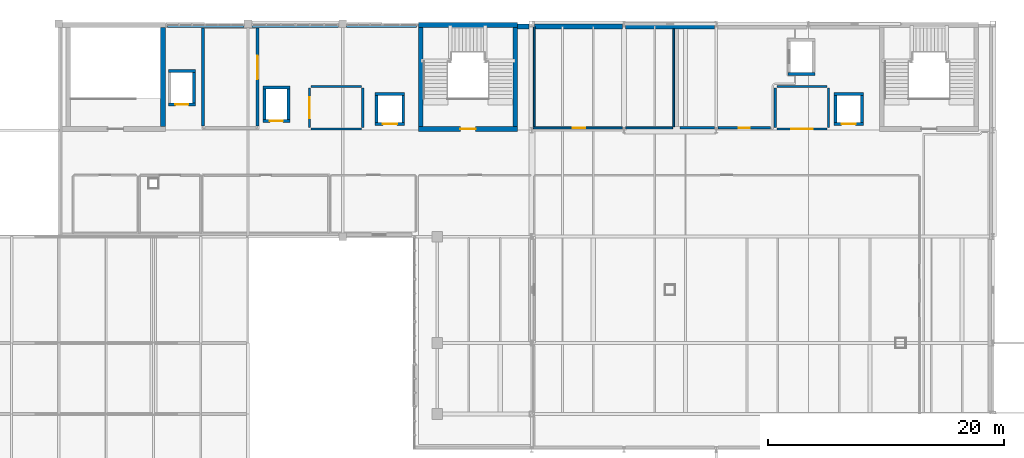
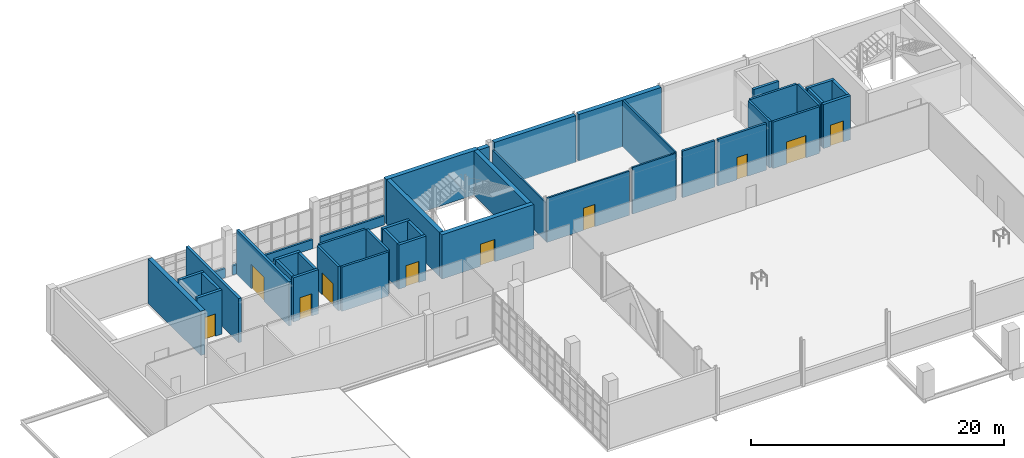
# One storey, part 34 of 38: 43 walls, 10 doors, 10 openings.
"""IFC4 building model written with IfcOpenShell, lengths in metres."""

from ifc_helpers import new_model, si_unit, derived_unit, direction, frame, frame_2d, origin, place, context, subcontext, project, spatial, rectangle, extrude, material, layer, layer_set, type_object, element, fill, save


model = new_model("IFC4")

# Units and contexts
model_context = context("Model", 3, precision=1e-05, world=origin(), true_north=direction((0.0, 1.0)))
body_context = subcontext(model_context, "Body", "Model", "MODEL_VIEW")
ifc_project = project(units=[si_unit("LENGTHUNIT", "METRE"), si_unit("AREAUNIT", "SQUARE_METRE"), si_unit("VOLUMEUNIT", "CUBIC_METRE"), si_unit("PLANEANGLEUNIT", "RADIAN"), si_unit("MASSUNIT", "GRAM", prefix="KILO"), derived_unit("THERMALTRANSMITTANCEUNIT", [(si_unit("POWERUNIT", "WATT"), 1), (si_unit("LENGTHUNIT", "METRE"), -2), (si_unit("THERMODYNAMICTEMPERATUREUNIT", "KELVIN"), -1)])], contexts=[model_context])

# Site, building, storey
site_placement = place(None, origin())
site = spatial("IfcSite", under=ifc_project, at=site_placement, CompositionType="ELEMENT")
building_placement = place(site_placement, origin())
building = spatial("IfcBuilding", under=site, at=building_placement, Name="Nallur Shell Playhouse", CompositionType="ELEMENT")
storey_placement = place(building_placement, frame((0.0, 0.0, 24.300048828125)))
storey = spatial("IfcBuildingStorey", under=building, at=storey_placement, Name="L06", CompositionType="ELEMENT", Elevation=24.300048828125)

# Wall, opening, door
ifc_material_1 = material(Name="Concrete M45", Category="concrete")
ifc_layer_1 = layer(ifc_material_1, 0.39990234375)
ifc_layer_set_1 = layer_set([ifc_layer_1], Name="Concrete M45")
wall_type_1 = type_object("IfcWallType", Name="WL-CORE-400", PredefinedType="SHEAR", material=ifc_layer_set_1)
wall_1_placement = place(storey_placement, frame((54.39990234375, 74.10009765625, 0.0), z_axis=(0.0, 0.0, 1.0), x_axis=(1.0, 0.0, 0.0)))
wall_1 = element("IfcWall", 1, at=wall_1_placement, inside=storey, type_object=wall_type_1, Name="Joint Core JC-3 shear wall S (L06)", PredefinedType="SHEAR", context=body_context, shape_type="SweptSolid", body=[
    extrude(rectangle(XDim=8.400146484375, YDim=0.39990234375, at=frame_2d((4.2001953125, 0.0))), origin(), (0.0, 0.0, 1.0), 4.280029296875),
])
opening_1_placement = place(wall_1_placement, frame((3.550048828125, 0.0, 0.0)))
opening_1 = element("IfcOpeningElement", 2, at=opening_1_placement, cuts=wall_1, Name="Opening FD-ST1", PredefinedType="OPENING", context=body_context, shape_type="SweptSolid", body=[
    extrude(rectangle(XDim=1.300048828125, YDim=2.14990234375, at=frame_2d((0.64990234375, 1.074951171875))), frame((0.0, 0.2099609375, 0.0), z_axis=(0.0, -1.0, 0.0), x_axis=(1.0, 0.0, 0.0)), (0.0, 0.0, 1.0), 0.419921875),
])
ifc_material_2 = material(Name="Galvanised Steel Fire-Rated Stair Door", Category="steel")
door_type_1 = type_object("IfcDoorType", Name="DR-INT-STAIR-L", OperationType="SINGLE_SWING_LEFT", PredefinedType="DOOR", material=ifc_material_2)
door_1_placement = place(opening_1_placement, origin())
door_1 = element("IfcDoor", 3, at=door_1_placement, inside=storey, type_object=door_type_1, Name="Exit stair ST-03 fire door (L06)", OperationType="SINGLE_SWING_LEFT", OverallHeight=2.14990234375, OverallWidth=1.300048828125, PredefinedType="DOOR", context=body_context, shape_type="SweptSolid", body=[
    extrude(rectangle(XDim=1.300048828125, YDim=2.14990234375, at=frame_2d((0.64990234375, 1.074951171875))), frame((0.0, 0.02490234375, 0.0), z_axis=(0.0, -1.0, 0.0), x_axis=(1.0, 0.0, 0.0)), (0.0, 0.0, 1.0), 0.050048828125),
])
fill(opening_1, door_1)

# Walls
wall_2_placement = place(storey_placement, frame((62.800048828125, 82.89990234375, 0.0), z_axis=(0.0, 0.0, 1.0), x_axis=(-1.0, 0.0, 0.0)))
element("IfcWall", 4, at=wall_2_placement, inside=storey, type_object=wall_type_1, Name="Joint Core JC-3 shear wall N (L06)", PredefinedType="SHEAR", context=body_context, shape_type="SweptSolid", body=[
    extrude(rectangle(XDim=8.400146484375, YDim=0.39990234375, at=frame_2d((4.2001953125, 0.0))), origin(), (0.0, 0.0, 1.0), 4.280029296875),
])
for number, where, z_axis, x_axis, name in (
    (5, (62.60009765625, 74.31005859375, 0.0), (0.0, 0.0, 1.0), (0.0, 1.0, 0.0), "Joint Core JC-3 shear wall E (L06)"),
    (6, (54.60009765625, 82.68994140625, 0.0), (0.0, 0.0, 1.0), (0.0, -1.0, 0.0), "Joint Core JC-3 shear wall W (L06)"),
    (7, (32.800048828125, 74.31005859375, 0.0), (0.0, 0.0, 1.0), (0.0, 1.0, 0.0), "Joint Core JC-6 shear wall E (L06)"),
):
    element("IfcWall", number, at=place(storey_placement, frame(where, z_axis=z_axis, x_axis=x_axis)), inside=storey, type_object=wall_type_1, Name=name, PredefinedType="SHEAR", context=body_context, shape_type="SweptSolid", body=[
        extrude(rectangle(XDim=8.3798828125, YDim=0.39990234375, at=frame_2d((4.18994140625, 0.0))), origin(), (0.0, 0.0, 1.0), 4.280029296875),
    ])
ifc_material_3 = material(Name="Concrete M40", Category="concrete")
ifc_layer_2 = layer(ifc_material_3, 0.39990234375)
ifc_layer_set_2 = layer_set([ifc_layer_2], Name="Concrete M40")
wall_type_2 = type_object("IfcWallType", Name="WL-EXT-RC400", PredefinedType="STANDARD", material=ifc_layer_set_2)
wall_3_placement = place(storey_placement, frame((62.803955078125, 82.780029296875, 0.0), z_axis=(0.0, 0.0, 1.0), x_axis=(1.0, 0.0, 0.0)))
element("IfcWall", 8, at=wall_3_placement, inside=storey, type_object=wall_type_2, Name="L06 exterior wall EW-L06-253", PredefinedType="STANDARD", context=body_context, shape_type="SweptSolid", body=[
    extrude(rectangle(XDim=0.963134765625, YDim=0.39990234375, at=frame_2d((0.4814453125, 0.0))), origin(), (0.0, 0.0, 1.0), 4.280029296875),
])
wall_4_placement = place(storey_placement, frame((64.23291015625, 82.780029296875, 0.0), z_axis=(0.0, 0.0, 1.0), x_axis=(1.0, 0.0, 0.0)))
element("IfcWall", 9, at=wall_4_placement, inside=storey, type_object=wall_type_2, Name="L06 exterior wall EW-L06-254", PredefinedType="STANDARD", context=body_context, shape_type="SweptSolid", body=[
    extrude(rectangle(XDim=7.43408203125, YDim=0.39990234375, at=frame_2d((3.717041015625, 0.0))), origin(), (0.0, 0.0, 1.0), 4.5),
])
wall_5_placement = place(storey_placement, frame((71.93310546875, 82.780029296875, 0.0), z_axis=(0.0, 0.0, 1.0), x_axis=(1.0, 0.0, 0.0)))
element("IfcWall", 10, at=wall_5_placement, inside=storey, type_object=wall_type_2, Name="L06 exterior wall EW-L06-255", PredefinedType="STANDARD", context=body_context, shape_type="SweptSolid", body=[
    extrude(rectangle(XDim=7.533935546875, YDim=0.39990234375, at=frame_2d((3.76708984375, 0.0))), origin(), (0.0, 0.0, 1.0), 4.5),
])
ifc_material_4 = material(Name="Concrete M35", Category="concrete")
ifc_layer_3 = layer(ifc_material_4, 0.179931640625)
ifc_layer_set_3 = layer_set([ifc_layer_3], Name="Concrete M35")
wall_type_3 = type_object("IfcWallType", Name="WL-PARAPET-180", PredefinedType="PARAPET", material=ifc_layer_set_3)
wall_6_placement = place(storey_placement, frame((33.169921875, 82.760009765625, 0.0), z_axis=(0.0, 0.0, 1.0), x_axis=(1.0, 0.0, 0.0)))
element("IfcWall", 11, at=wall_6_placement, inside=storey, type_object=wall_type_3, Name="L06 curtain-wall internal spandrel upstand 075", PredefinedType="PARAPET", context=body_context, shape_type="SweptSolid", body=[
    extrude(rectangle(XDim=6.4951171875, YDim=0.179931640625, at=frame_2d((3.24755859375, 0.0))), origin(), (0.0, 0.0, 1.0), 0.8798828125),
])
wall_7_placement = place(storey_placement, frame((40.3349609375, 82.760009765625, 0.0), z_axis=(0.0, 0.0, 1.0), x_axis=(1.0, 0.0, 0.0)))
element("IfcWall", 12, at=wall_7_placement, inside=storey, type_object=wall_type_3, Name="L06 curtain-wall internal spandrel upstand 076", PredefinedType="PARAPET", context=body_context, shape_type="SweptSolid", body=[
    extrude(rectangle(XDim=7.330078125, YDim=0.179931640625, at=frame_2d((3.6650390625, 0.0))), origin(), (0.0, 0.0, 1.0), 0.8798828125),
])
wall_8_placement = place(storey_placement, frame((48.3349609375, 82.760009765625, 0.0), z_axis=(0.0, 0.0, 1.0), x_axis=(1.0, 0.0, 0.0)))
element("IfcWall", 13, at=wall_8_placement, inside=storey, type_object=wall_type_3, Name="L06 curtain-wall internal spandrel upstand 077", PredefinedType="PARAPET", context=body_context, shape_type="SweptSolid", body=[
    extrude(rectangle(XDim=5.89501953125, YDim=0.179931640625, at=frame_2d((2.947509765625, 0.0))), origin(), (0.0, 0.0, 1.0), 0.8798828125),
])

# Wall, opening, door
ifc_material_5 = material(Name="Concrete M30", Category="concrete")
ifc_layer_4 = layer(ifc_material_5, 0.199951171875)
ifc_layer_set_4 = layer_set([ifc_layer_4], Name="Concrete M30")
wall_type_4 = type_object("IfcWallType", Name="WL-PART-AC200", PredefinedType="PARTITIONING", material=ifc_layer_set_4)
wall_9_placement = place(storey_placement, frame((45.199951171875, 74.219970703125, 0.0), z_axis=(0.0, 0.0, 1.0), x_axis=(0.0, 1.0, 0.0)))
wall_9 = element("IfcWall", 14, at=wall_9_placement, inside=storey, type_object=wall_type_4, Name="Firefighting Lobby JC-3 partition IW-L06-0385", PredefinedType="PARTITIONING", context=body_context, shape_type="SweptSolid", body=[
    extrude(rectangle(XDim=3.360107421875, YDim=0.199951171875, at=frame_2d((1.68017578125, 0.0))), origin(), (0.0, 0.0, 1.0), 4.27001953125),
])
opening_2_placement = place(wall_9_placement, frame((0.780029296875, 0.0, 0.0)))
opening_2 = element("IfcOpeningElement", 15, at=opening_2_placement, cuts=wall_9, Name="Opening FD-FL1", PredefinedType="OPENING", context=body_context, shape_type="SweptSolid", body=[
    extrude(rectangle(XDim=1.800048828125, YDim=2.14990234375, at=frame_2d((0.89990234375, 1.074951171875))), frame((0.0, 0.10986328125, 0.0), z_axis=(0.0, -1.0, 0.0), x_axis=(1.0, 0.0, 0.0)), (0.0, 0.0, 1.0), 0.219970703125),
])
ifc_material_6 = material(Name="Firefighting Lobby Smoke-Seal Double Door")
door_type_2 = type_object("IfcDoorType", Name="DR-INT-FFL-DBL", OperationType="DOUBLE_DOOR_SINGLE_SWING", PredefinedType="DOOR", material=ifc_material_6)
door_2_placement = place(opening_2_placement, origin())
door_2 = element("IfcDoor", 16, at=door_2_placement, inside=storey, type_object=door_type_2, Name="Firefighting Lobby JC-3 smoke-seal door (L06)", OperationType="DOUBLE_DOOR_SINGLE_SWING", OverallHeight=2.14990234375, OverallWidth=1.800048828125, PredefinedType="DOOR", context=body_context, shape_type="SweptSolid", body=[
    extrude(rectangle(XDim=1.800048828125, YDim=2.14990234375, at=frame_2d((0.89990234375, 1.074951171875))), frame((0.0, 0.02490234375, 0.0), z_axis=(0.0, -1.0, 0.0), x_axis=(1.0, 0.0, 0.0)), (0.0, 0.0, 1.0), 0.050048828125),
])
fill(opening_2, door_2)

# Walls
wall_10_placement = place(storey_placement, frame((45.320068359375, 77.699951171875, 0.0), z_axis=(0.0, 0.0, 1.0), x_axis=(1.0, 0.0, 0.0)))
element("IfcWall", 17, at=wall_10_placement, inside=storey, type_object=wall_type_4, Name="Firefighting Lobby JC-3 partition IW-L06-0386", PredefinedType="PARTITIONING", context=body_context, shape_type="SweptSolid", body=[
    extrude(rectangle(XDim=4.260009765625, YDim=0.199951171875, at=frame_2d((2.1298828125, 0.0))), origin(), (0.0, 0.0, 1.0), 4.27001953125),
])
wall_11_placement = place(storey_placement, frame((49.699951171875, 77.580078125, 0.0), z_axis=(0.0, 0.0, 1.0), x_axis=(0.0, -1.0, 0.0)))
element("IfcWall", 18, at=wall_11_placement, inside=storey, type_object=wall_type_4, Name="Firefighting Lobby JC-3 partition IW-L06-0387", PredefinedType="PARTITIONING", context=body_context, shape_type="SweptSolid", body=[
    extrude(rectangle(XDim=3.360107421875, YDim=0.199951171875, at=frame_2d((1.68017578125, 0.0))), origin(), (0.0, 0.0, 1.0), 4.27001953125),
])
wall_12_placement = place(storey_placement, frame((49.580078125, 74.10009765625, 0.0), z_axis=(0.0, 0.0, 1.0), x_axis=(-1.0, 0.0, 0.0)))
element("IfcWall", 19, at=wall_12_placement, inside=storey, type_object=wall_type_4, Name="Firefighting Lobby JC-3 partition IW-L06-0388", PredefinedType="PARTITIONING", context=body_context, shape_type="SweptSolid", body=[
    extrude(rectangle(XDim=4.260009765625, YDim=0.199951171875, at=frame_2d((2.1298828125, 0.0))), origin(), (0.0, 0.0, 1.0), 4.27001953125),
])
wall_13_placement = place(storey_placement, frame((84.60009765625, 74.219970703125, 0.0), z_axis=(0.0, 0.0, 1.0), x_axis=(0.0, 1.0, 0.0)))
element("IfcWall", 20, at=wall_13_placement, inside=storey, type_object=wall_type_4, Name="Firefighting Lobby JC-4 partition IW-L06-0389", PredefinedType="PARTITIONING", context=body_context, shape_type="SweptSolid", body=[
    extrude(rectangle(XDim=3.360107421875, YDim=0.199951171875, at=frame_2d((1.68017578125, 0.0))), origin(), (0.0, 0.0, 1.0), 4.5),
])
wall_14_placement = place(storey_placement, frame((84.719970703125, 77.699951171875, 0.0), z_axis=(0.0, 0.0, 1.0), x_axis=(1.0, 0.0, 0.0)))
element("IfcWall", 21, at=wall_14_placement, inside=storey, type_object=wall_type_4, Name="Firefighting Lobby JC-4 partition IW-L06-0390", PredefinedType="PARTITIONING", context=body_context, shape_type="SweptSolid", body=[
    extrude(rectangle(XDim=4.260009765625, YDim=0.199951171875, at=frame_2d((2.1298828125, 0.0))), origin(), (0.0, 0.0, 1.0), 4.5),
])
wall_15_placement = place(storey_placement, frame((89.10009765625, 77.580078125, 0.0), z_axis=(0.0, 0.0, 1.0), x_axis=(0.0, -1.0, 0.0)))
element("IfcWall", 22, at=wall_15_placement, inside=storey, type_object=wall_type_4, Name="Firefighting Lobby JC-4 partition IW-L06-0391", PredefinedType="PARTITIONING", context=body_context, shape_type="SweptSolid", body=[
    extrude(rectangle(XDim=3.360107421875, YDim=0.199951171875, at=frame_2d((1.68017578125, 0.0))), origin(), (0.0, 0.0, 1.0), 4.5),
])

# Wall, opening, door
wall_16_placement = place(storey_placement, frame((88.97998046875, 74.10009765625, 0.0), z_axis=(0.0, 0.0, 1.0), x_axis=(-1.0, 0.0, 0.0)))
wall_16 = element("IfcWall", 23, at=wall_16_placement, inside=storey, type_object=wall_type_4, Name="Firefighting Lobby JC-4 partition IW-L06-0392", PredefinedType="PARTITIONING", context=body_context, shape_type="SweptSolid", body=[
    extrude(rectangle(XDim=4.260009765625, YDim=0.199951171875, at=frame_2d((2.1298828125, 0.0))), origin(), (0.0, 0.0, 1.0), 4.5),
])
opening_3_placement = place(wall_16_placement, frame((1.22998046875, 0.0, 0.0)))
opening_3 = element("IfcOpeningElement", 24, at=opening_3_placement, cuts=wall_16, Name="Opening FD-FL1", PredefinedType="OPENING", context=body_context, shape_type="SweptSolid", body=[
    extrude(rectangle(XDim=1.800048828125, YDim=2.14990234375, at=frame_2d((0.89990234375, 1.074951171875))), frame((0.0, 0.10986328125, 0.0), z_axis=(0.0, -1.0, 0.0), x_axis=(1.0, 0.0, 0.0)), (0.0, 0.0, 1.0), 0.219970703125),
])
door_3_placement = place(opening_3_placement, origin())
door_3 = element("IfcDoor", 25, at=door_3_placement, inside=storey, type_object=door_type_2, Name="Firefighting Lobby JC-4 smoke-seal door (L06)", OperationType="DOUBLE_DOOR_SINGLE_SWING", OverallHeight=2.14990234375, OverallWidth=1.800048828125, PredefinedType="DOOR", context=body_context, shape_type="SweptSolid", body=[
    extrude(rectangle(XDim=1.800048828125, YDim=2.14990234375, at=frame_2d((0.89990234375, 1.074951171875))), frame((0.0, 0.02490234375, 0.0), z_axis=(0.0, -1.0, 0.0), x_axis=(1.0, 0.0, 0.0)), (0.0, 0.0, 1.0), 0.050048828125),
])
fill(opening_3, door_3)

wall_17_placement = place(storey_placement, frame((84.199951171875, 74.199951171875, 0.0), z_axis=(0.0, 0.0, 1.0), x_axis=(-1.0, 0.0, 0.0)))
wall_17 = element("IfcWall", 26, at=wall_17_placement, inside=storey, type_object=wall_type_4, Name="Performing Arts Archive & Dramaturgy Reading Room partition IW-L06-0410", PredefinedType="PARTITIONING", context=body_context, shape_type="SweptSolid", body=[
    extrude(rectangle(XDim=4.4599609375, YDim=0.199951171875, at=frame_2d((2.22998046875, 0.0))), origin(), (0.0, 0.0, 1.0), 4.5),
])
opening_4_placement = place(wall_17_placement, frame((1.7548828125, 0.0, 0.0)))
opening_4 = element("IfcOpeningElement", 27, at=opening_4_placement, cuts=wall_17, Name="Opening ID-03", PredefinedType="OPENING", context=body_context, shape_type="SweptSolid", body=[
    extrude(rectangle(XDim=0.949951171875, YDim=2.14990234375, at=frame_2d((0.47509765625, 1.074951171875))), frame((0.0, 0.10986328125, 0.0), z_axis=(0.0, -1.0, 0.0), x_axis=(1.0, 0.0, 0.0)), (0.0, 0.0, 1.0), 0.219970703125),
])
ifc_material_7 = material(Name="Solid-Core Engineered Timber Door", Category="wood")
door_type_3 = type_object("IfcDoorType", Name="DR-INT-SGL950L", OperationType="SINGLE_SWING_LEFT", PredefinedType="DOOR", material=ifc_material_7)
door_4_placement = place(opening_4_placement, origin())
door_4 = element("IfcDoor", 28, at=door_4_placement, inside=storey, type_object=door_type_3, Name="Performing Arts Archive & Dramaturgy Reading Room door 1", OperationType="SINGLE_SWING_LEFT", OverallHeight=2.14990234375, OverallWidth=0.949951171875, PredefinedType="DOOR", context=body_context, shape_type="SweptSolid", body=[
    extrude(rectangle(XDim=0.949951171875, YDim=2.14990234375, at=frame_2d((0.47509765625, 1.074951171875))), frame((0.0, 0.02490234375, 0.0), z_axis=(0.0, -1.0, 0.0), x_axis=(1.0, 0.0, 0.0)), (0.0, 0.0, 1.0), 0.050048828125),
])
fill(opening_4, door_4)

# Wall
wall_18_placement = place(storey_placement, frame((79.4599609375, 74.199951171875, 0.0), z_axis=(0.0, 0.0, 1.0), x_axis=(-1.0, 0.0, 0.0)))
element("IfcWall", 29, at=wall_18_placement, inside=storey, type_object=wall_type_4, Name="Performing Arts Archive & Dramaturgy Reading Room partition IW-L06-0411", PredefinedType="PARTITIONING", context=body_context, shape_type="SweptSolid", body=[
    extrude(rectangle(XDim=2.93994140625, YDim=0.199951171875, at=frame_2d((1.469970703125, 0.0))), origin(), (0.0, 0.0, 1.0), 4.5),
])

# Wall, opening, door
ifc_layer_5 = layer(ifc_material_5, 0.25)
ifc_layer_set_5 = layer_set([ifc_layer_5], Name="Concrete M30")
wall_type_5 = type_object("IfcWallType", Name="WL-PART-AC250", PredefinedType="PARTITIONING", material=ifc_layer_set_5)
wall_19_placement = place(storey_placement, frame((40.800048828125, 82.666015625, 0.0), z_axis=(0.0, 0.0, 1.0), x_axis=(0.0, -1.0, 0.0)))
wall_19 = element("IfcWall", 30, at=wall_19_placement, inside=storey, type_object=wall_type_5, Name="Foley & Sound Recording Studio partition IW-L06-0403", PredefinedType="PARTITIONING", context=body_context, shape_type="SweptSolid", body=[
    extrude(rectangle(XDim=8.321044921875, YDim=0.25, at=frame_2d((4.16064453125, 0.0))), origin(), (0.0, 0.0, 1.0), 4.27001953125),
])
opening_5_placement = place(wall_19_placement, frame((2.34912109375, 0.0, 0.0)))
opening_5 = element("IfcOpeningElement", 31, at=opening_5_placement, cuts=wall_19, Name="Opening AD-01", PredefinedType="OPENING", context=body_context, shape_type="SweptSolid", body=[
    extrude(rectangle(XDim=2.0, YDim=2.35009765625, at=frame_2d((1.0, 1.175048828125))), frame((0.0, 0.135009765625, 0.0), z_axis=(0.0, -1.0, 0.0), x_axis=(1.0, 0.0, 0.0)), (0.0, 0.0, 1.0), 0.27001953125),
])
ifc_material_8 = material(Name="Acoustic Timber Sound-Lock Double Door", Category="wood")
door_type_4 = type_object("IfcDoorType", Name="DR-INT-AUD-DBL", OperationType="DOUBLE_SWING_LEFT", PredefinedType="DOOR", material=ifc_material_8)
door_5_placement = place(opening_5_placement, origin())
door_5 = element("IfcDoor", 32, at=door_5_placement, inside=storey, type_object=door_type_4, Name="Foley & Sound Recording Studio door 1", OperationType="DOUBLE_SWING_LEFT", OverallHeight=2.35009765625, OverallWidth=2.0, PredefinedType="DOOR", context=body_context, shape_type="SweptSolid", body=[
    extrude(rectangle(XDim=2.0, YDim=2.35009765625, at=frame_2d((1.0, 1.175048828125))), frame((0.0, 0.02490234375, 0.0), z_axis=(0.0, -1.0, 0.0), x_axis=(1.0, 0.0, 0.0)), (0.0, 0.0, 1.0), 0.050048828125),
])
fill(opening_5, door_5)

# Walls
wall_20_placement = place(storey_placement, frame((36.199951171875, 74.344970703125, 0.0), z_axis=(0.0, 0.0, 1.0), x_axis=(0.0, 1.0, 0.0)))
element("IfcWall", 33, at=wall_20_placement, inside=storey, type_object=wall_type_5, Name="Foley & Sound Recording Studio partition IW-L06-0405", PredefinedType="PARTITIONING", context=body_context, shape_type="SweptSolid", body=[
    extrude(rectangle(XDim=8.321044921875, YDim=0.25, at=frame_2d((4.16064453125, 0.0))), origin(), (0.0, 0.0, 1.0), 4.27001953125),
])
ifc_material_9 = material(Name="Concrete M25 Fire Blockwork", Category="masonry")
ifc_layer_6 = layer(ifc_material_9, 0.14990234375)
ifc_layer_set_6 = layer_set([ifc_layer_6], Name="Concrete M25 Fire Blockwork")
wall_type_6 = type_object("IfcWallType", Name="WL-PART-FR150", PredefinedType="PARTITIONING", material=ifc_layer_set_6)
wall_21_placement = place(storey_placement, frame((76.0, 82.575927734375, 0.0), z_axis=(0.0, 0.0, 1.0), x_axis=(0.0, -1.0, 0.0)))
element("IfcWall", 34, at=wall_21_placement, inside=storey, type_object=wall_type_6, Name="Costume Conservation & Textile Laboratory partition IW-L06-0406", PredefinedType="PARTITIONING", context=body_context, shape_type="SweptSolid", body=[
    extrude(rectangle(XDim=8.281005859375, YDim=0.14990234375, at=frame_2d((4.140625, 0.0))), origin(), (0.0, 0.0, 1.0), 4.5),
])
wall_22_placement = place(storey_placement, frame((75.905029296875, 74.199951171875, 0.0), z_axis=(0.0, 0.0, 1.0), x_axis=(-1.0, 0.0, 0.0)))
element("IfcWall", 35, at=wall_22_placement, inside=storey, type_object=wall_type_6, Name="Costume Conservation & Textile Laboratory partition IW-L06-0407", PredefinedType="PARTITIONING", context=body_context, shape_type="SweptSolid", body=[
    extrude(rectangle(XDim=3.965087890625, YDim=0.14990234375, at=frame_2d((1.982421875, 0.0))), origin(), (0.0, 0.0, 1.0), 4.5),
])

# Wall, opening, door
wall_23_placement = place(storey_placement, frame((71.659912109375, 74.199951171875, 0.0), z_axis=(0.0, 0.0, 1.0), x_axis=(-1.0, 0.0, 0.0)))
wall_23 = element("IfcWall", 36, at=wall_23_placement, inside=storey, type_object=wall_type_6, Name="Costume Conservation & Textile Laboratory partition IW-L06-0408", PredefinedType="PARTITIONING", context=body_context, shape_type="SweptSolid", body=[
    extrude(rectangle(XDim=7.531005859375, YDim=0.14990234375, at=frame_2d((3.765625, 0.0))), origin(), (0.0, 0.0, 1.0), 4.27001953125),
])
opening_6_placement = place(wall_23_placement, frame((3.156982421875, 0.0, 0.0)))
opening_6 = element("IfcOpeningElement", 37, at=opening_6_placement, cuts=wall_23, Name="Opening ID-02", PredefinedType="OPENING", context=body_context, shape_type="SweptSolid", body=[
    extrude(rectangle(XDim=1.050048828125, YDim=2.14990234375, at=frame_2d((0.52490234375, 1.074951171875))), frame((0.0, 0.0849609375, 0.0), z_axis=(0.0, -1.0, 0.0), x_axis=(1.0, 0.0, 0.0)), (0.0, 0.0, 1.0), 0.169921875),
])
ifc_material_10 = material(Name="Solid-Core Engineered Timber Fire Door", Category="wood")
door_type_5 = type_object("IfcDoorType", Name="DR-INT-SGL1050R", OperationType="SINGLE_SWING_RIGHT", PredefinedType="DOOR", material=ifc_material_10)
door_6_placement = place(opening_6_placement, origin())
door_6 = element("IfcDoor", 38, at=door_6_placement, inside=storey, type_object=door_type_5, Name="Costume Conservation & Textile Laboratory door 1", OperationType="SINGLE_SWING_RIGHT", OverallHeight=2.14990234375, OverallWidth=1.050048828125, PredefinedType="DOOR", context=body_context, shape_type="SweptSolid", body=[
    extrude(rectangle(XDim=1.050048828125, YDim=2.14990234375, at=frame_2d((0.52490234375, 1.074951171875))), frame((0.0, 0.02490234375, 0.0), z_axis=(0.0, -1.0, 0.0), x_axis=(1.0, 0.0, 0.0)), (0.0, 0.0, 1.0), 0.050048828125),
])
fill(opening_6, door_6)

# Wall
wall_24_placement = place(storey_placement, frame((64.199951171875, 74.294921875, 0.0), z_axis=(0.0, 0.0, 1.0), x_axis=(0.0, 1.0, 0.0)))
element("IfcWall", 39, at=wall_24_placement, inside=storey, type_object=wall_type_6, Name="Costume Conservation & Textile Laboratory partition IW-L06-0409", PredefinedType="PARTITIONING", context=body_context, shape_type="SweptSolid", body=[
    extrude(rectangle(XDim=8.47607421875, YDim=0.14990234375, at=frame_2d((4.238037109375, 0.0))), origin(), (0.0, 0.0, 1.0), 3.7099609375),
])

# Wall, opening, door
ifc_layer_7 = layer(ifc_material_1, 0.25)
ifc_layer_set_7 = layer_set([ifc_layer_7], Name="Concrete M45")
wall_type_7 = type_object("IfcWallType", Name="WL-SHAFT-250", PredefinedType="STANDARD", material=ifc_layer_set_7)
wall_25_placement = place(storey_placement, frame((50.75, 74.52490234375, 0.0), z_axis=(0.0, 0.0, 1.0), x_axis=(1.0, 0.0, 0.0)))
wall_25 = element("IfcWall", 40, at=wall_25_placement, inside=storey, type_object=wall_type_7, Name="Fireman's Lift FL-1 shaft wall south (L06)", PredefinedType="STANDARD", context=body_context, shape_type="SweptSolid", body=[
    extrude(rectangle(XDim=2.5, YDim=0.25, at=frame_2d((1.25, 0.0))), origin(), (0.0, 0.0, 1.0), 4.27001953125),
])
opening_7_placement = place(wall_25_placement, frame((0.64990234375, 0.0, 0.0)))
opening_7 = element("IfcOpeningElement", 41, at=opening_7_placement, cuts=wall_25, Name="Opening LD-F1", PredefinedType="OPENING", context=body_context, shape_type="SweptSolid", body=[
    extrude(rectangle(XDim=1.199951171875, YDim=2.050048828125, at=frame_2d((0.60009765625, 1.02490234375))), frame((0.0, 0.135009765625, 0.0), z_axis=(0.0, -1.0, 0.0), x_axis=(1.0, 0.0, 0.0)), (0.0, 0.0, 1.0), 0.27001953125),
])
ifc_material_11 = material(Name="Fireman Lift Fire-Rated Sliding Landing Door")
door_type_6 = type_object("IfcDoorType", Name="DR-LIFT-FIRE", OperationType="DOUBLE_DOOR_SLIDING", PredefinedType="DOOR", material=ifc_material_11)
door_7_placement = place(opening_7_placement, origin())
door_7 = element("IfcDoor", 42, at=door_7_placement, inside=storey, type_object=door_type_6, Name="Fireman's Lift FL-1 sliding landing door (L06)", OperationType="DOUBLE_DOOR_SLIDING", OverallHeight=2.050048828125, OverallWidth=1.199951171875, PredefinedType="DOOR", context=body_context, shape_type="SweptSolid", body=[
    extrude(rectangle(XDim=1.199951171875, YDim=2.050048828125, at=frame_2d((0.60009765625, 1.02490234375))), frame((0.0, 0.02490234375, 0.0), z_axis=(0.0, -1.0, 0.0), x_axis=(1.0, 0.0, 0.0)), (0.0, 0.0, 1.0), 0.050048828125),
])
fill(opening_7, door_7)

# Walls
wall_26_placement = place(storey_placement, frame((53.25, 77.074951171875, 0.0), z_axis=(0.0, 0.0, 1.0), x_axis=(-1.0, 0.0, 0.0)))
element("IfcWall", 43, at=wall_26_placement, inside=storey, type_object=wall_type_7, Name="Fireman's Lift FL-1 shaft wall north (L06)", PredefinedType="STANDARD", context=body_context, shape_type="SweptSolid", body=[
    extrude(rectangle(XDim=2.5, YDim=0.25, at=frame_2d((1.25, 0.0))), origin(), (0.0, 0.0, 1.0), 4.27001953125),
])
for number, where, z_axis, x_axis, name in (
    (44, (53.125, 74.659912109375, 0.0), (0.0, 0.0, 1.0), (0.0, 1.0, 0.0), "Fireman's Lift FL-1 shaft wall east (L06)"),
    (45, (50.875, 76.93994140625, 0.0), (0.0, 0.0, 1.0), (0.0, -1.0, 0.0), "Fireman's Lift FL-1 shaft wall west (L06)"),
):
    element("IfcWall", number, at=place(storey_placement, frame(where, z_axis=z_axis, x_axis=x_axis)), inside=storey, type_object=wall_type_7, Name=name, PredefinedType="STANDARD", context=body_context, shape_type="SweptSolid", body=[
        extrude(rectangle(XDim=2.280029296875, YDim=0.25, at=frame_2d((1.14013671875, 0.0))), origin(), (0.0, 0.0, 1.0), 4.27001953125),
    ])

# Wall, opening, door
wall_27_placement = place(storey_placement, frame((41.25, 74.77490234375, 0.0), z_axis=(0.0, 0.0, 1.0), x_axis=(1.0, 0.0, 0.0)))
wall_27 = element("IfcWall", 46, at=wall_27_placement, inside=storey, type_object=wall_type_7, Name="Passenger Lift PL-3 shaft wall south (L06)", PredefinedType="STANDARD", context=body_context, shape_type="SweptSolid", body=[
    extrude(rectangle(XDim=2.300048828125, YDim=0.25, at=frame_2d((1.14990234375, 0.0))), origin(), (0.0, 0.0, 1.0), 4.27001953125),
])
opening_8_placement = place(wall_27_placement, frame((0.60009765625, 0.0, 0.0)))
opening_8 = element("IfcOpeningElement", 47, at=opening_8_placement, cuts=wall_27, Name="Opening LD-P1", PredefinedType="OPENING", context=body_context, shape_type="SweptSolid", body=[
    extrude(rectangle(XDim=1.10009765625, YDim=2.14990234375, at=frame_2d((0.550048828125, 1.074951171875))), frame((0.0, 0.135009765625, 0.0), z_axis=(0.0, -1.0, 0.0), x_axis=(1.0, 0.0, 0.0)), (0.0, 0.0, 1.0), 0.27001953125),
])
ifc_material_12 = material(Name="Brushed Stainless Steel Lift Landing Door", Category="steel")
door_type_7 = type_object("IfcDoorType", Name="DR-LIFT-PASS", OperationType="DOUBLE_DOOR_SLIDING", PredefinedType="DOOR", material=ifc_material_12)
door_8_placement = place(opening_8_placement, origin())
door_8 = element("IfcDoor", 48, at=door_8_placement, inside=storey, type_object=door_type_7, Name="Passenger Lift PL-3 sliding landing door (L06)", OperationType="DOUBLE_DOOR_SLIDING", OverallHeight=2.14990234375, OverallWidth=1.10009765625, PredefinedType="DOOR", context=body_context, shape_type="SweptSolid", body=[
    extrude(rectangle(XDim=1.10009765625, YDim=2.14990234375, at=frame_2d((0.550048828125, 1.074951171875))), frame((0.0, 0.02490234375, 0.0), z_axis=(0.0, -1.0, 0.0), x_axis=(1.0, 0.0, 0.0)), (0.0, 0.0, 1.0), 0.050048828125),
])
fill(opening_8, door_8)

# Walls
wall_28_placement = place(storey_placement, frame((43.550048828125, 77.625, 0.0), z_axis=(0.0, 0.0, 1.0), x_axis=(-1.0, 0.0, 0.0)))
element("IfcWall", 49, at=wall_28_placement, inside=storey, type_object=wall_type_7, Name="Passenger Lift PL-3 shaft wall north (L06)", PredefinedType="STANDARD", context=body_context, shape_type="SweptSolid", body=[
    extrude(rectangle(XDim=2.300048828125, YDim=0.25, at=frame_2d((1.14990234375, 0.0))), origin(), (0.0, 0.0, 1.0), 4.27001953125),
])
for number, where, z_axis, x_axis, name in (
    (50, (43.425048828125, 74.909912109375, 0.0), (0.0, 0.0, 1.0), (0.0, 1.0, 0.0), "Passenger Lift PL-3 shaft wall east (L06)"),
    (51, (41.375, 77.489990234375, 0.0), (0.0, 0.0, 1.0), (0.0, -1.0, 0.0), "Passenger Lift PL-3 shaft wall west (L06)"),
):
    element("IfcWall", number, at=place(storey_placement, frame(where, z_axis=z_axis, x_axis=x_axis)), inside=storey, type_object=wall_type_7, Name=name, PredefinedType="STANDARD", context=body_context, shape_type="SweptSolid", body=[
        extrude(rectangle(XDim=2.580078125, YDim=0.25, at=frame_2d((1.2900390625, 0.0))), origin(), (0.0, 0.0, 1.0), 4.27001953125),
    ])

# Wall, opening, door
wall_29_placement = place(storey_placement, frame((89.550048828125, 74.52490234375, 0.0), z_axis=(0.0, 0.0, 1.0), x_axis=(1.0, 0.0, 0.0)))
wall_29 = element("IfcWall", 52, at=wall_29_placement, inside=storey, type_object=wall_type_7, Name="Fireman's Lift FL-2 shaft wall south (L06)", PredefinedType="STANDARD", context=body_context, shape_type="SweptSolid", body=[
    extrude(rectangle(XDim=2.5, YDim=0.25, at=frame_2d((1.25, 0.0))), origin(), (0.0, 0.0, 1.0), 4.27001953125),
])
opening_9_placement = place(wall_29_placement, frame((0.64990234375, 0.0, 0.0)))
opening_9 = element("IfcOpeningElement", 53, at=opening_9_placement, cuts=wall_29, Name="Opening LD-F1", PredefinedType="OPENING", context=body_context, shape_type="SweptSolid", body=[
    extrude(rectangle(XDim=1.199951171875, YDim=2.050048828125, at=frame_2d((0.60009765625, 1.02490234375))), frame((0.0, 0.135009765625, 0.0), z_axis=(0.0, -1.0, 0.0), x_axis=(1.0, 0.0, 0.0)), (0.0, 0.0, 1.0), 0.27001953125),
])
door_9_placement = place(opening_9_placement, origin())
door_9 = element("IfcDoor", 54, at=door_9_placement, inside=storey, type_object=door_type_6, Name="Fireman's Lift FL-2 sliding landing door (L06)", OperationType="DOUBLE_DOOR_SLIDING", OverallHeight=2.050048828125, OverallWidth=1.199951171875, PredefinedType="DOOR", context=body_context, shape_type="SweptSolid", body=[
    extrude(rectangle(XDim=1.199951171875, YDim=2.050048828125, at=frame_2d((0.60009765625, 1.02490234375))), frame((0.0, 0.02490234375, 0.0), z_axis=(0.0, -1.0, 0.0), x_axis=(1.0, 0.0, 0.0)), (0.0, 0.0, 1.0), 0.050048828125),
])
fill(opening_9, door_9)

# Walls
wall_30_placement = place(storey_placement, frame((92.050048828125, 77.074951171875, 0.0), z_axis=(0.0, 0.0, 1.0), x_axis=(-1.0, 0.0, 0.0)))
element("IfcWall", 55, at=wall_30_placement, inside=storey, type_object=wall_type_7, Name="Fireman's Lift FL-2 shaft wall north (L06)", PredefinedType="STANDARD", context=body_context, shape_type="SweptSolid", body=[
    extrude(rectangle(XDim=2.5, YDim=0.25, at=frame_2d((1.25, 0.0))), origin(), (0.0, 0.0, 1.0), 4.27001953125),
])
for number, where, z_axis, x_axis, name in (
    (56, (91.925048828125, 74.659912109375, 0.0), (0.0, 0.0, 1.0), (0.0, 1.0, 0.0), "Fireman's Lift FL-2 shaft wall east (L06)"),
    (57, (89.675048828125, 76.93994140625, 0.0), (0.0, 0.0, 1.0), (0.0, -1.0, 0.0), "Fireman's Lift FL-2 shaft wall west (L06)"),
):
    element("IfcWall", number, at=place(storey_placement, frame(where, z_axis=z_axis, x_axis=x_axis)), inside=storey, type_object=wall_type_7, Name=name, PredefinedType="STANDARD", context=body_context, shape_type="SweptSolid", body=[
        extrude(rectangle(XDim=2.280029296875, YDim=0.25, at=frame_2d((1.14013671875, 0.0))), origin(), (0.0, 0.0, 1.0), 4.27001953125),
    ])
wall_31_placement = place(storey_placement, frame((85.64990234375, 78.77490234375, 0.0), z_axis=(0.0, 0.0, 1.0), x_axis=(1.0, 0.0, 0.0)))
element("IfcWall", 58, at=wall_31_placement, inside=storey, type_object=wall_type_7, Name="Passenger Lift PL-4 shaft wall south (L06)", PredefinedType="STANDARD", context=body_context, shape_type="SweptSolid", body=[
    extrude(rectangle(XDim=2.300048828125, YDim=0.25, at=frame_2d((1.14990234375, 0.0))), origin(), (0.0, 0.0, 1.0), 4.5),
])

# Wall, opening, door
wall_32_placement = place(storey_placement, frame((33.25, 76.175048828125, 0.0), z_axis=(0.0, 0.0, 1.0), x_axis=(1.0, 0.0, 0.0)))
wall_32 = element("IfcWall", 59, at=wall_32_placement, inside=storey, type_object=wall_type_7, Name="Production Passenger Lift PL-6 shaft wall south (L06)", PredefinedType="STANDARD", context=body_context, shape_type="SweptSolid", body=[
    extrude(rectangle(XDim=2.300048828125, YDim=0.25, at=frame_2d((1.14990234375, 0.0))), origin(), (0.0, 0.0, 1.0), 4.27001953125),
])
opening_10_placement = place(wall_32_placement, frame((0.60009765625, 0.0, 0.0)))
opening_10 = element("IfcOpeningElement", 60, at=opening_10_placement, cuts=wall_32, Name="Opening LD-P1", PredefinedType="OPENING", context=body_context, shape_type="SweptSolid", body=[
    extrude(rectangle(XDim=1.10009765625, YDim=2.14990234375, at=frame_2d((0.550048828125, 1.074951171875))), frame((0.0, 0.135009765625, 0.0), z_axis=(0.0, -1.0, 0.0), x_axis=(1.0, 0.0, 0.0)), (0.0, 0.0, 1.0), 0.27001953125),
])
door_10_placement = place(opening_10_placement, origin())
door_10 = element("IfcDoor", 61, at=door_10_placement, inside=storey, type_object=door_type_7, Name="Production Passenger Lift PL-6 sliding landing door (L06)", OperationType="DOUBLE_DOOR_SLIDING", OverallHeight=2.14990234375, OverallWidth=1.10009765625, PredefinedType="DOOR", context=body_context, shape_type="SweptSolid", body=[
    extrude(rectangle(XDim=1.10009765625, YDim=2.14990234375, at=frame_2d((0.550048828125, 1.074951171875))), frame((0.0, 0.02490234375, 0.0), z_axis=(0.0, -1.0, 0.0), x_axis=(1.0, 0.0, 0.0)), (0.0, 0.0, 1.0), 0.050048828125),
])
fill(opening_10, door_10)

# Walls
wall_33_placement = place(storey_placement, frame((35.550048828125, 79.02490234375, 0.0), z_axis=(0.0, 0.0, 1.0), x_axis=(-1.0, 0.0, 0.0)))
element("IfcWall", 62, at=wall_33_placement, inside=storey, type_object=wall_type_7, Name="Production Passenger Lift PL-6 shaft wall north (L06)", PredefinedType="STANDARD", context=body_context, shape_type="SweptSolid", body=[
    extrude(rectangle(XDim=2.300048828125, YDim=0.25, at=frame_2d((1.14990234375, 0.0))), origin(), (0.0, 0.0, 1.0), 4.27001953125),
])
wall_34_placement = place(storey_placement, frame((35.425048828125, 76.31005859375, 0.0), z_axis=(0.0, 0.0, 1.0), x_axis=(0.0, 1.0, 0.0)))
element("IfcWall", 63, at=wall_34_placement, inside=storey, type_object=wall_type_7, Name="Production Passenger Lift PL-6 shaft wall east (L06)", PredefinedType="STANDARD", context=body_context, shape_type="SweptSolid", body=[
    extrude(rectangle(XDim=2.579833984375, YDim=0.25, at=frame_2d((1.2900390625, 0.0))), origin(), (0.0, 0.0, 1.0), 4.27001953125),
])

save(model, "model.ifc")
